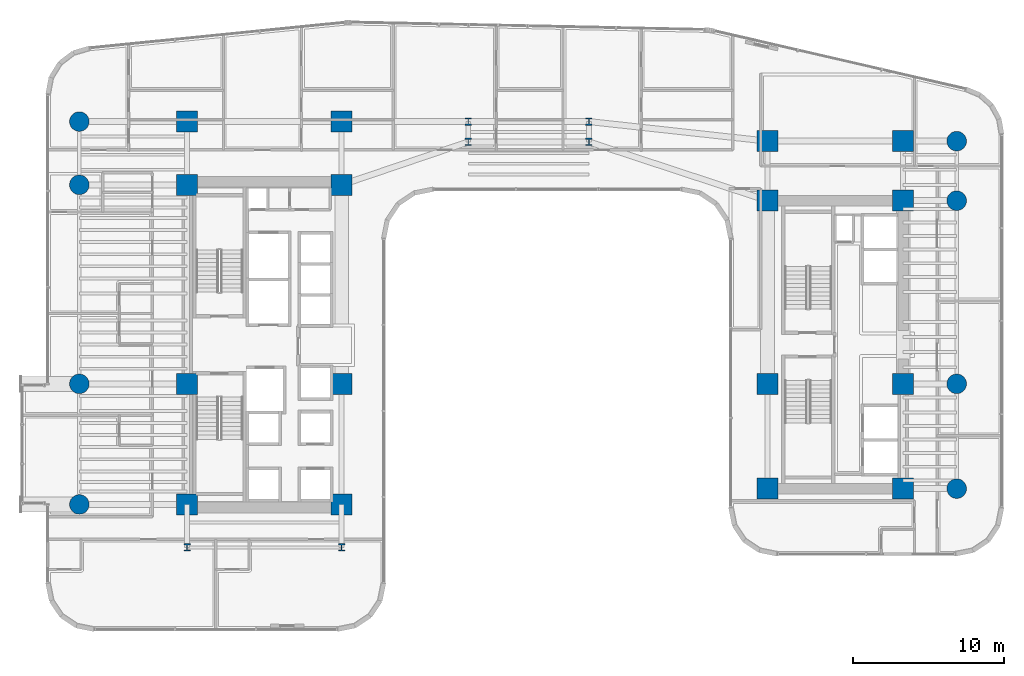
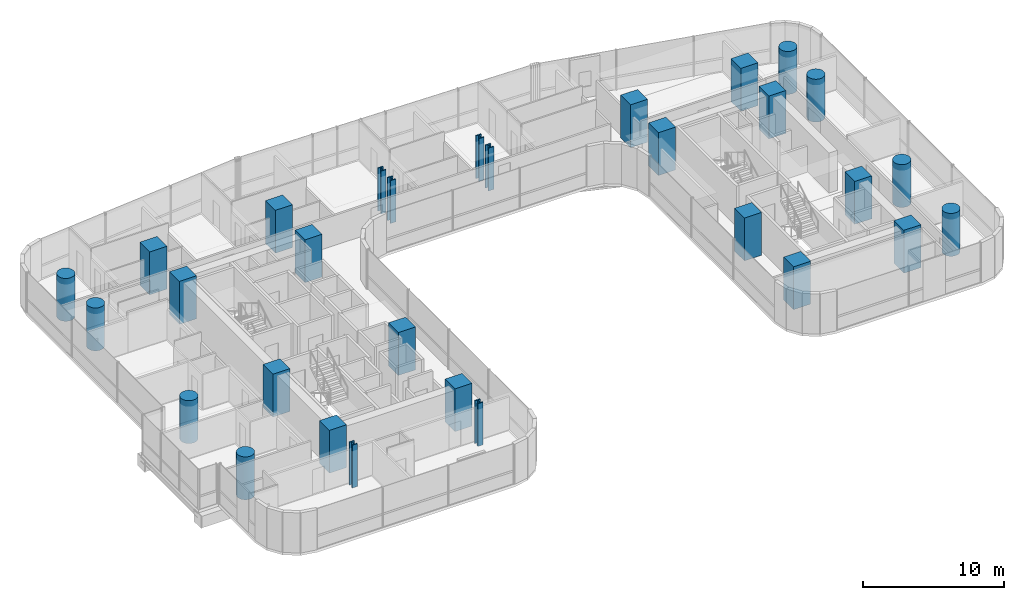
# One storey, part 1 of 41: 30 columns.
"""IFC4 building model written with IfcOpenShell, lengths in metres."""

from ifc_helpers import new_model, si_unit, direction, frame, origin, origin_2d, place, context, subcontext, project, spatial, rectangle, circle, i_section, extrude, source, transform, mapped, material, material_profile, profile_set, type_object, element, save


model = new_model("IFC4")

# Units and contexts
model_context = context("Model", 3, precision=1e-05, world=origin(), true_north=direction((0.0, 1.0)))
body_context = subcontext(model_context, "Body", "Model", "MODEL_VIEW")
ifc_project = project(units=[si_unit("LENGTHUNIT", "METRE"), si_unit("AREAUNIT", "SQUARE_METRE"), si_unit("VOLUMEUNIT", "CUBIC_METRE"), si_unit("PLANEANGLEUNIT", "RADIAN"), si_unit("MASSUNIT", "GRAM", prefix="KILO")], contexts=[model_context])

# Site, building, storey
site_placement = place(None, origin())
site = spatial("IfcSite", under=ifc_project, at=site_placement, CompositionType="ELEMENT")
building_placement = place(site_placement, origin())
building = spatial("IfcBuilding", under=site, at=building_placement, Name="Valdorenza Pilgrim Sanctuary Tower", CompositionType="ELEMENT")
storey_placement = place(building_placement, frame((0.0, 0.0, 59.300048828125)))
storey = spatial("IfcBuildingStorey", under=building, at=storey_placement, Name="L14", CompositionType="ELEMENT", Elevation=59.300048828125)

# Columns
ifc_material_1 = material(Name="Concrete C60/75", Category="concrete")
ifc_material_profile_1 = material_profile(ifc_material_1, circle(Radius=0.64990234375, at=origin_2d()), Name="RC D1300")
ifc_profile_set_1 = profile_set([ifc_material_profile_1], Name="Concrete C60/75")
column_type_1 = type_object("IfcColumnType", Name="COL-RND-1300", PredefinedType="COLUMN", material=ifc_profile_set_1)
shared_shape_1 = source(origin(), body_context, "Body", "SweptSolid", [
    extrude(circle(Radius=0.64990234375, at=origin_2d()), origin(), (0.0, 0.0, 1.0), 3.699951171875),
])
for number, where, z_axis, x_axis, name in (
    (1, (-29.800048828125, -10.60009765625, 0.0), (0.0, 0.0, 1.0), (1.0, 0.0, 0.0), "L14 Perimeter Column WA-W-S1"),
    (2, (-29.800048828125, -2.60009765625, 0.0), (0.0, 0.0, 1.0), (1.0, 0.0, 0.0), "L14 Perimeter Column WA-W-M0"),
    (3, (-29.800048828125, 10.60009765625, 0.0), (0.0, 0.0, 1.0), (1.0, 0.0, 0.0), "L14 Perimeter Column WA-W-N1"),
    (4, (-29.800048828125, 14.800048828125, 0.0), (0.0, 0.0, 1.0), (1.0, 0.0, 0.0), "L14 Perimeter Column WA-W-N2"),
    (5, (28.39990234375, -9.550048828125, 0.0), (0.0, 0.0, 1.0), (1.0, 0.0, 0.0), "L14 Perimeter Column WB-E-S1"),
    (6, (28.39990234375, -2.60009765625, 0.0), (0.0, 0.0, 1.0), (1.0, 0.0, 0.0), "L14 Perimeter Column WB-E-M0"),
    (7, (28.39990234375, 9.550048828125, 0.0), (0.0, 0.0, 1.0), (1.0, 0.0, 0.0), "L14 Perimeter Column WB-E-N1"),
    (8, (28.39990234375, 13.5, 0.0), (0.0, 0.0, 1.0), (1.0, 0.0, 0.0), "L14 Perimeter Column WB-E-N2"),
):
    element("IfcColumn", number, at=place(storey_placement, frame(where, z_axis=z_axis, x_axis=x_axis)), inside=storey, type_object=column_type_1, Name=name, PredefinedType="COLUMN", context=body_context, shape_type="MappedRepresentation", body=[
        mapped(shared_shape_1, transform((0.0, 0.0, 0.0), x_axis=(1.0, 0.0, 0.0), y_axis=(0.0, 1.0, 0.0), z_axis=(0.0, 0.0, 1.0), scale=1.0)),
    ])
ifc_material_profile_2 = material_profile(ifc_material_1, rectangle(XDim=1.39990234375, YDim=1.39990234375, at=origin_2d()), Name="RC 1400x1400")
ifc_profile_set_2 = profile_set([ifc_material_profile_2], Name="Concrete C60/75")
column_type_2 = type_object("IfcColumnType", Name="COL-Z1-1400", PredefinedType="COLUMN", material=ifc_profile_set_2)
shared_shape_2 = source(origin(), body_context, "Body", "SweptSolid", [
    extrude(rectangle(XDim=1.39990234375, YDim=1.39990234375, at=origin_2d()), origin(), (0.0, 0.0, 1.0), 3.699951171875),
])
for number, where, z_axis, x_axis, name in (
    (9, (-22.64990234375, -10.60009765625, 0.0), (0.0, 0.0, 1.0), (1.0, 0.0, 0.0), "L14 Column CA-W-S1"),
    (10, (-12.39990234375, -10.60009765625, 0.0), (0.0, 0.0, 1.0), (1.0, 0.0, 0.0), "L14 Column CA-E-S1"),
    (11, (-22.64990234375, -2.60009765625, 0.0), (0.0, 0.0, 1.0), (1.0, 0.0, 0.0), "L14 Column CA-W-M0"),
    (12, (-12.39990234375, -2.60009765625, 0.0), (0.0, 0.0, 1.0), (1.0, 0.0, 0.0), "L14 Column CA-E-M0"),
    (13, (-22.64990234375, 10.60009765625, 0.0), (0.0, 0.0, 1.0), (1.0, 0.0, 0.0), "L14 Column CA-W-N1"),
    (14, (-12.39990234375, 10.60009765625, 0.0), (0.0, 0.0, 1.0), (1.0, 0.0, 0.0), "L14 Column CA-E-N1"),
    (15, (-22.64990234375, 14.800048828125, 0.0), (0.0, 0.0, 1.0), (1.0, 0.0, 0.0), "L14 Column CA-W-N2"),
    (16, (-12.39990234375, 14.800048828125, 0.0), (0.0, 0.0, 1.0), (1.0, 0.0, 0.0), "L14 Column CA-E-N2"),
    (17, (15.85009765625, -9.550048828125, 0.0), (0.0, 0.0, 1.0), (1.0, 0.0, 0.0), "L14 Column CB-W-S1"),
    (18, (24.85009765625, -9.550048828125, 0.0), (0.0, 0.0, 1.0), (1.0, 0.0, 0.0), "L14 Column CB-E-S1"),
    (19, (15.85009765625, -2.60009765625, 0.0), (0.0, 0.0, 1.0), (1.0, 0.0, 0.0), "L14 Column CB-W-M0"),
    (20, (24.85009765625, -2.60009765625, 0.0), (0.0, 0.0, 1.0), (1.0, 0.0, 0.0), "L14 Column CB-E-M0"),
    (21, (15.85009765625, 9.550048828125, 0.0), (0.0, 0.0, 1.0), (1.0, 0.0, 0.0), "L14 Column CB-W-N1"),
    (22, (24.85009765625, 9.550048828125, 0.0), (0.0, 0.0, 1.0), (1.0, 0.0, 0.0), "L14 Column CB-E-N1"),
    (23, (15.85009765625, 13.5, 0.0), (0.0, 0.0, 1.0), (1.0, 0.0, 0.0), "L14 Column CB-W-N2"),
    (24, (24.85009765625, 13.5, 0.0), (0.0, 0.0, 1.0), (1.0, 0.0, 0.0), "L14 Column CB-E-N2"),
):
    element("IfcColumn", number, at=place(storey_placement, frame(where, z_axis=z_axis, x_axis=x_axis)), inside=storey, type_object=column_type_2, Name=name, PredefinedType="COLUMN", context=body_context, shape_type="MappedRepresentation", body=[
        mapped(shared_shape_2, transform((0.0, 0.0, 0.0), x_axis=(1.0, 0.0, 0.0), y_axis=(0.0, 1.0, 0.0), z_axis=(0.0, 0.0, 1.0), scale=1.0)),
    ])
ifc_material_2 = material(Name="Steel ASTM A992 Grade 50", Category="steel")
ifc_material_profile_3 = material_profile(ifc_material_2, i_section(OverallWidth=0.431884765625, OverallDepth=0.498046875, WebThickness=0.0556640625, FlangeThickness=0.0888671875, at=origin_2d()), Name="W14X500")
ifc_profile_set_3 = profile_set([ifc_material_profile_3], Name="Steel ASTM A992 Grade 50")
column_type_3 = type_object("IfcColumnType", Name="COL-STL-W500", PredefinedType="COLUMN", material=ifc_profile_set_3)
shared_shape_3 = source(origin(), body_context, "Body", "SweptSolid", [
    extrude(i_section(OverallWidth=0.431884765625, OverallDepth=0.498046875, WebThickness=0.0556640625, FlangeThickness=0.0888671875, at=origin_2d()), origin(), (0.0, 0.0, 1.0), 3.699951171875),
])
for number, where, z_axis, x_axis, name in (
    (25, (-22.64990234375, -13.449951171875, 0.0), (0.0, 0.0, 1.0), (1.0, 0.0, 0.0), "L14 Column WA-S-W"),
    (26, (-12.39990234375, -13.449951171875, 0.0), (0.0, 0.0, 1.0), (1.0, 0.0, 0.0), "L14 Column WA-S-E"),
    (27, (-4.0, 13.449951171875, 0.0), (0.0, 0.0, 1.0), (1.0, 0.0, 0.0), "L14 Column KNK-W1"),
    (28, (-4.0, 14.800048828125, 0.0), (0.0, 0.0, 1.0), (1.0, 0.0, 0.0), "L14 Column KNK-W2"),
    (29, (4.0, 13.449951171875, 0.0), (0.0, 0.0, 1.0), (1.0, 0.0, 0.0), "L14 Column KNK-E1"),
    (30, (4.0, 14.800048828125, 0.0), (0.0, 0.0, 1.0), (1.0, 0.0, 0.0), "L14 Column KNK-E2"),
):
    element("IfcColumn", number, at=place(storey_placement, frame(where, z_axis=z_axis, x_axis=x_axis)), inside=storey, type_object=column_type_3, Name=name, PredefinedType="COLUMN", context=body_context, shape_type="MappedRepresentation", body=[
        mapped(shared_shape_3, transform((0.0, 0.0, 0.0), x_axis=(1.0, 0.0, 0.0), y_axis=(0.0, 1.0, 0.0), z_axis=(0.0, 0.0, 1.0), scale=1.0)),
    ])

save(model, "model.ifc")
